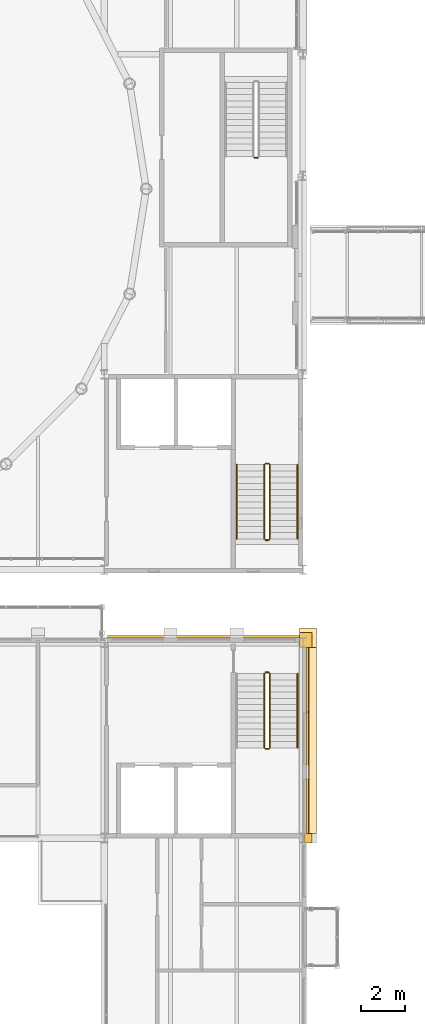
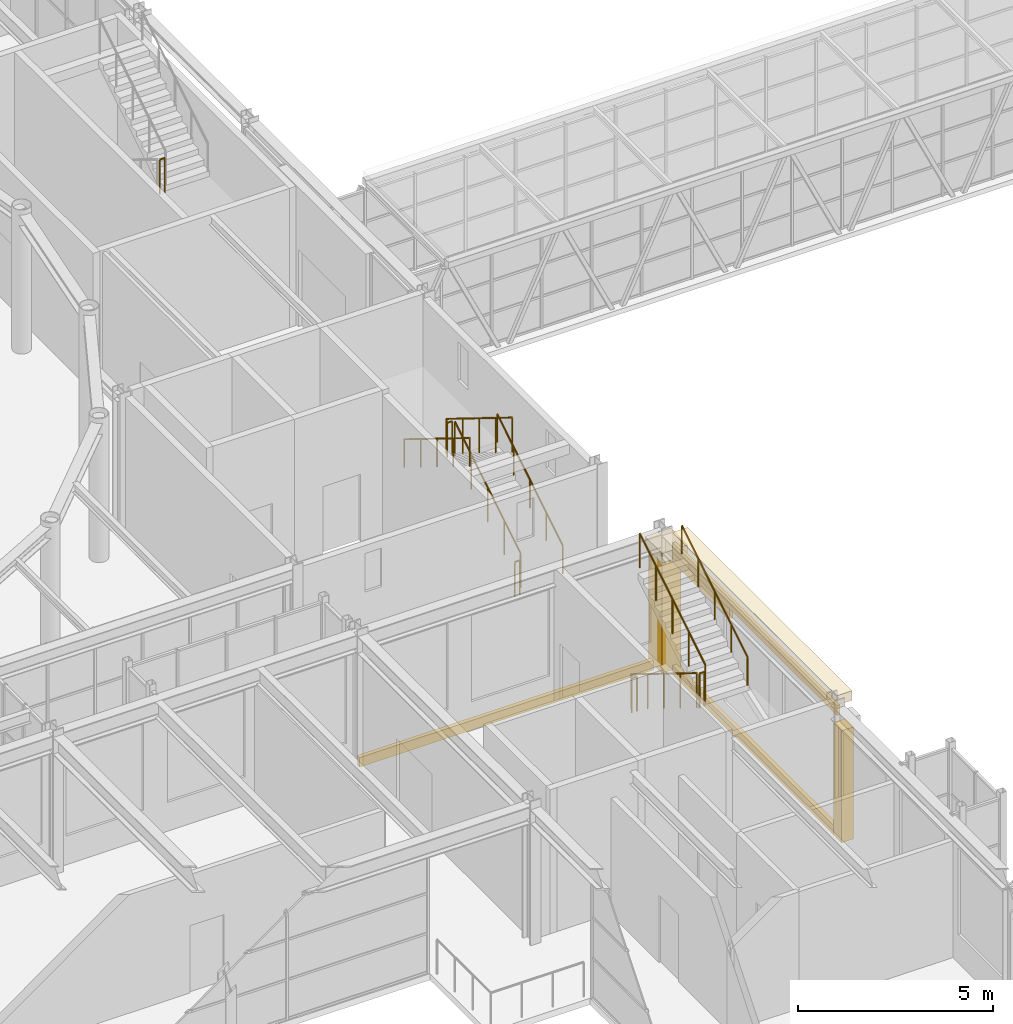
# One storey, part 142 of 149: 12 railings, 8 coverings.
"""IFC4 building model written with IfcOpenShell, lengths in metres."""

from ifc_helpers import new_model, si_unit, direction, frame, origin, origin_2d, place, context, subcontext, project, spatial, rectangle, circle, extrude, material, layer, layer_set, type_object, element, save


model = new_model("IFC4")

# Units and contexts
model_context = context("Model", 3, precision=1e-05, world=origin(), true_north=direction((0.0, 1.0)))
body_context = subcontext(model_context, "Body", "Model", "MODEL_VIEW")
ifc_project = project(units=[si_unit("LENGTHUNIT", "METRE"), si_unit("AREAUNIT", "SQUARE_METRE"), si_unit("VOLUMEUNIT", "CUBIC_METRE"), si_unit("PLANEANGLEUNIT", "RADIAN"), si_unit("MASSUNIT", "GRAM", prefix="KILO")], contexts=[model_context])

# Site, building, storey
site_placement = place(None, origin())
site = spatial("IfcSite", under=ifc_project, at=site_placement, CompositionType="ELEMENT")
building_placement = place(site_placement, origin())
building = spatial("IfcBuilding", under=site, at=building_placement, Name="Kallimachos Central Library", CompositionType="ELEMENT")
storey_placement = place(building_placement, frame((0.0, 0.0, 9.89990234375)))
storey = spatial("IfcBuildingStorey", under=building, at=storey_placement, Name="L02", CompositionType="ELEMENT", Elevation=9.89990234375)

# Coverings
ifc_material_1 = material(Name="Glazed ceramic frieze, green")
ifc_layer_1 = layer(ifc_material_1, 0.10009765625)
ifc_layer_set_1 = layer_set([ifc_layer_1], Name="Glazed ceramic frieze, green")
covering_type_1 = type_object("IfcCoveringType", Name="Glazed ceramic frieze, green", PredefinedType="CLADDING", material=ifc_layer_set_1)
covering_1_placement = place(storey_placement, frame((110.70361328125, 79.425048828125, 3.68017578125), z_axis=(0.0, 0.0, 1.0), x_axis=(1.0, 0.0, 0.0)))
element("IfcCovering", 1, at=covering_1_placement, inside=storey, type_object=covering_type_1, Name="Glazed ceramic frieze, green -L02-025", PredefinedType="CLADDING", context=body_context, shape_type="SweptSolid", body=[
    extrude(rectangle(XDim=0.10009765625, YDim=8.41796875, at=origin_2d()), origin(), (0.0, 0.0, 1.0), 0.300048828125),
])
ifc_material_2 = material(Name="Glazed ceramic frieze, ochre")
ifc_layer_2 = layer(ifc_material_2, 0.10009765625)
ifc_layer_set_2 = layer_set([ifc_layer_2], Name="Glazed ceramic frieze, ochre")
covering_type_2 = type_object("IfcCoveringType", Name="Glazed ceramic frieze, ochre", PredefinedType="CLADDING", material=ifc_layer_set_2)
covering_2_placement = place(storey_placement, frame((110.70361328125, 82.1669921875, 3.3798828125), z_axis=(0.0, 0.0, 1.0), x_axis=(1.0, 0.0, 0.0)))
element("IfcCovering", 2, at=covering_2_placement, inside=storey, type_object=covering_type_2, Name="Glazed ceramic frieze, ochre -L02-025", PredefinedType="CLADDING", context=body_context, shape_type="SweptSolid", body=[
    extrude(rectangle(XDim=0.10009765625, YDim=2.93408203125, at=origin_2d()), origin(), (0.0, 0.0, 1.0), 0.300048828125),
])

# Railings
ifc_material_3 = material(Name="Wrought iron")
railing_type_1 = type_object("IfcRailingType", Name="Stair guard", PredefinedType="GUARDRAIL", material=ifc_material_3)
railing_1_placement = place(storey_placement, frame((108.75, 82.449951171875, 0.173095703125)))
element("IfcRailing", 3, at=railing_1_placement, inside=storey, type_object=railing_type_1, Name="L02 ST10 stair guard 1", PredefinedType="GUARDRAIL", context=body_context, shape_type="SweptSolid", body=[
    extrude(circle(Radius=0.02392578125, at=origin_2d()), frame((0.0, 0.0, 1.076171875), z_axis=(0.0, -0.850606129759, 0.525803396734), x_axis=(1.0, 0.0, 0.0)), (0.0, 0.0, 1.0), 3.949951171875),
    extrude(circle(Radius=0.02099609375, at=origin_2d()), origin(), (0.0, 0.0, 1.0), 1.052001953125),
    extrude(circle(Radius=0.02099609375, at=origin_2d()), frame((0.0, -0.83984375, 0.519287109375)), (0.0, 0.0, 1.0), 1.052001953125),
    extrude(circle(Radius=0.02099609375, at=origin_2d()), frame((0.0, -1.679931640625, 1.03857421875)), (0.0, 0.0, 1.0), 1.052001953125),
    extrude(circle(Radius=0.02099609375, at=origin_2d()), frame((0.0, -2.52001953125, 1.5576171875)), (0.0, 0.0, 1.0), 1.052001953125),
    extrude(circle(Radius=0.02099609375, at=origin_2d()), frame((0.0, -3.35986328125, 2.076904296875)), (0.0, 0.0, 1.0), 1.052001953125),
])
railing_2_placement = place(storey_placement, frame((108.800048828125, 79.0400390625, 2.25)))
element("IfcRailing", 4, at=railing_2_placement, inside=storey, type_object=railing_type_1, Name="L02 ST10 stair guard 2", PredefinedType="GUARDRAIL", context=body_context, shape_type="SweptSolid", body=[
    extrude(circle(Radius=0.02392578125, at=origin_2d()), frame((0.0, 0.0, 1.076171875), z_axis=(1.0, 0.0, 0.0), x_axis=(0.0, 1.0, 0.0)), (0.0, 0.0, 1.0), 0.14990234375),
    extrude(circle(Radius=0.02099609375, at=origin_2d()), origin(), (0.0, 0.0, 1.0), 1.052001953125),
    extrude(circle(Radius=0.02099609375, at=origin_2d()), frame((0.14990234375, 0.0, 0.0)), (0.0, 0.0, 1.0), 1.052001953125),
])
railing_3_placement = place(storey_placement, frame((109.0, 79.090087890625, 2.423095703125)))
element("IfcRailing", 5, at=railing_3_placement, inside=storey, type_object=railing_type_1, Name="L02 ST10 stair guard 3", PredefinedType="GUARDRAIL", context=body_context, shape_type="SweptSolid", body=[
    extrude(circle(Radius=0.02392578125, at=origin_2d()), frame((0.0, 0.0, 1.076171875), z_axis=(0.0, 0.850606129759, 0.525803396734), x_axis=(-1.0, 0.0, 0.0)), (0.0, 0.0, 1.0), 3.949951171875),
    extrude(circle(Radius=0.02099609375, at=origin_2d()), origin(), (0.0, 0.0, 1.0), 1.052001953125),
    extrude(circle(Radius=0.02099609375, at=origin_2d()), frame((0.0, 0.83984375, 0.519287109375)), (0.0, 0.0, 1.0), 1.052001953125),
    extrude(circle(Radius=0.02099609375, at=origin_2d()), frame((0.0, 1.679931640625, 1.03857421875)), (0.0, 0.0, 1.0), 1.052001953125),
    extrude(circle(Radius=0.02099609375, at=origin_2d()), frame((0.0, 2.52001953125, 1.5576171875)), (0.0, 0.0, 1.0), 1.052001953125),
    extrude(circle(Radius=0.02099609375, at=origin_2d()), frame((0.0, 3.35986328125, 2.076904296875)), (0.0, 0.0, 1.0), 1.052001953125),
])
railing_4_placement = place(storey_placement, frame((108.800048828125, 82.5, 0.0)))
element("IfcRailing", 6, at=railing_4_placement, inside=storey, type_object=railing_type_1, Name="L02 ST10 stair guard 4", PredefinedType="GUARDRAIL", context=body_context, shape_type="SweptSolid", body=[
    extrude(circle(Radius=0.02392578125, at=origin_2d()), frame((0.0, 0.0, 1.076171875), z_axis=(1.0, 0.0, 0.0), x_axis=(0.0, 1.0, 0.0)), (0.0, 0.0, 1.0), 0.14990234375),
    extrude(circle(Radius=0.02099609375, at=origin_2d()), origin(), (0.0, 0.0, 1.0), 1.052001953125),
    extrude(circle(Radius=0.02099609375, at=origin_2d()), frame((0.14990234375, 0.0, 0.0)), (0.0, 0.0, 1.0), 1.052001953125),
])
ifc_material_4 = material(Name="Wrought iron")
railing_type_2 = type_object("IfcRailingType", Name="Stair handrail", PredefinedType="HANDRAIL", material=ifc_material_4)
railing_5_placement = place(storey_placement, frame((110.25, 79.090087890625, 2.423095703125)))
element("IfcRailing", 7, at=railing_5_placement, inside=storey, type_object=railing_type_2, Name="L02 ST10 stair handrail 2", PredefinedType="HANDRAIL", context=body_context, shape_type="SweptSolid", body=[
    extrude(circle(Radius=0.02392578125, at=origin_2d()), frame((0.0, 0.0, 0.8759765625), z_axis=(0.0, 0.850606129759, 0.525803396734), x_axis=(-1.0, 0.0, 0.0)), (0.0, 0.0, 1.0), 3.949951171875),
    extrude(circle(Radius=0.02099609375, at=origin_2d()), origin(), (0.0, 0.0, 1.0), 0.851806640625),
    extrude(circle(Radius=0.02099609375, at=origin_2d()), frame((0.0, 0.83984375, 0.519287109375)), (0.0, 0.0, 1.0), 0.851806640625),
    extrude(circle(Radius=0.02099609375, at=origin_2d()), frame((0.0, 1.679931640625, 1.03857421875)), (0.0, 0.0, 1.0), 0.851806640625),
    extrude(circle(Radius=0.02099609375, at=origin_2d()), frame((0.0, 2.52001953125, 1.5576171875)), (0.0, 0.0, 1.0), 0.851806640625),
    extrude(circle(Radius=0.02099609375, at=origin_2d()), frame((0.0, 3.35986328125, 2.076904296875)), (0.0, 0.0, 1.0), 0.851806640625),
])

# Coverings
ifc_material_5 = material(Name="Pentelic marble attic moulding", Category="masonry")
ifc_layer_3 = layer(ifc_material_5, 0.1201171875)
ifc_layer_set_3 = layer_set([ifc_layer_3], Name="Stone attic moulding 300")
covering_type_3 = type_object("IfcCoveringType", Name="Stone attic moulding 300", PredefinedType="MOLDING", material=ifc_layer_set_3)
covering_3_placement = place(storey_placement, frame((106.0, 84.1259765625, -0.14990234375), z_axis=(0.0, 0.0, 1.0), x_axis=(1.0, 0.0, 0.0)))
element("IfcCovering", 8, at=covering_3_placement, inside=storey, type_object=covering_type_3, Name="Stone attic moulding 300 -L02-019", PredefinedType="MOLDING", context=body_context, shape_type="SweptSolid", body=[
    extrude(rectangle(XDim=8.693115234375, YDim=0.1201171875, at=origin_2d()), origin(), (0.0, 0.0, 1.0), 0.300048828125),
])
covering_4_placement = place(storey_placement, frame((110.71337890625, 79.425048828125, -0.14990234375), z_axis=(0.0, 0.0, 1.0), x_axis=(1.0, 0.0, 0.0)))
element("IfcCovering", 9, at=covering_4_placement, inside=storey, type_object=covering_type_3, Name="Stone attic moulding 300 -L02-025", PredefinedType="MOLDING", context=body_context, shape_type="SweptSolid", body=[
    extrude(rectangle(XDim=0.1201171875, YDim=8.41796875, at=origin_2d()), origin(), (0.0, 0.0, 1.0), 0.300048828125),
])
ifc_material_6 = material(Name="Pentelic marble cornice", Category="masonry")
ifc_layer_4 = layer(ifc_material_6, 0.449951171875)
ifc_layer_set_4 = layer_set([ifc_layer_4], Name="Stone cornice 450")
covering_type_4 = type_object("IfcCoveringType", Name="Stone cornice 450", PredefinedType="MOLDING", material=ifc_layer_set_4)
covering_5_placement = place(storey_placement, frame((110.87841796875, 79.425048828125, 4.0), z_axis=(0.0, 0.0, 1.0), x_axis=(1.0, 0.0, 0.0)))
element("IfcCovering", 10, at=covering_5_placement, inside=storey, type_object=covering_type_4, Name="Stone cornice 450 -L02-025", PredefinedType="MOLDING", context=body_context, shape_type="SweptSolid", body=[
    extrude(rectangle(XDim=0.449951171875, YDim=8.41796875, at=origin_2d()), origin(), (0.0, 0.0, 1.0), 0.300048828125),
])
covering_6_placement = place(storey_placement, frame((110.72509765625, 84.074951171875, 3.4501953125), z_axis=(0.0, 0.0, 1.0), x_axis=(1.0, 0.0, 0.0)))
element("IfcCovering", 11, at=covering_6_placement, inside=storey, type_object=covering_type_4, Name="Stone cornice 450 corner", PredefinedType="MOLDING", context=body_context, shape_type="SweptSolid", body=[
    extrude(rectangle(XDim=0.757080078125, YDim=0.882080078125, at=origin_2d()), origin(), (0.0, 0.0, 1.0), 0.300048828125),
])
ifc_material_7 = material(Name="Pentelic marble pilaster", Category="masonry")
ifc_layer_5 = layer(ifc_material_7, 0.25)
ifc_layer_set_5 = layer_set([ifc_layer_5], Name="Stone pilaster 250")
covering_type_5 = type_object("IfcCoveringType", Name="Stone pilaster 250", PredefinedType="CLADDING", material=ifc_layer_set_5)
covering_7_placement = place(storey_placement, frame((110.72509765625, 75.0, 0.0), z_axis=(0.0, 0.0, 1.0), x_axis=(1.0, 0.0, 0.0)))
element("IfcCovering", 12, at=covering_7_placement, inside=storey, type_object=covering_type_5, Name="Stone pilaster 250 -L02-024", PredefinedType="CLADDING", context=body_context, shape_type="SweptSolid", body=[
    extrude(rectangle(XDim=0.35009765625, YDim=0.431884765625, at=origin_2d()), origin(), (0.0, 0.0, 1.0), 3.5),
])
covering_8_placement = place(storey_placement, frame((110.625, 83.97509765625, 0.0), z_axis=(0.0, 0.0, 1.0), x_axis=(1.0, 0.0, 0.0)))
element("IfcCovering", 13, at=covering_8_placement, inside=storey, type_object=covering_type_5, Name="Stone pilaster 250 corner", PredefinedType="CLADDING", context=body_context, shape_type="SweptSolid", body=[
    extrude(rectangle(XDim=0.556884765625, YDim=0.681884765625, at=origin_2d()), origin(), (0.0, 0.0, 1.0), 3.449951171875),
])

# Railings
ifc_material_8 = material(Name="Wrought iron")
railing_type_3 = type_object("IfcRailingType", Name="Wrought-iron handrail 900", PredefinedType="HANDRAIL", material=ifc_material_8)
railing_6_placement = place(storey_placement, frame((110.25, 88.550048828125, 0.173095703125)))
element("IfcRailing", 14, at=railing_6_placement, inside=storey, type_object=railing_type_3, Name="L02 ST2 stair handrail 1", PredefinedType="HANDRAIL", context=body_context, shape_type="SweptSolid", body=[
    extrude(circle(Radius=0.02392578125, at=origin_2d()), frame((0.0, 0.0, 0.8759765625), z_axis=(0.0, 0.850606129759, 0.525803396734), x_axis=(-1.0, 0.0, 0.0)), (0.0, 0.0, 1.0), 3.949951171875),
    extrude(circle(Radius=0.02099609375, at=origin_2d()), origin(), (0.0, 0.0, 1.0), 0.851806640625),
    extrude(circle(Radius=0.02099609375, at=origin_2d()), frame((0.0, 0.83984375, 0.519287109375)), (0.0, 0.0, 1.0), 0.851806640625),
    extrude(circle(Radius=0.02099609375, at=origin_2d()), frame((0.0, 1.679931640625, 1.03857421875)), (0.0, 0.0, 1.0), 0.851806640625),
    extrude(circle(Radius=0.02099609375, at=origin_2d()), frame((0.0, 2.52001953125, 1.5576171875)), (0.0, 0.0, 1.0), 0.851806640625),
    extrude(circle(Radius=0.02099609375, at=origin_2d()), frame((0.0, 3.35986328125, 2.076904296875)), (0.0, 0.0, 1.0), 0.851806640625),
])
railing_7_placement = place(storey_placement, frame((107.5, 91.909912109375, 2.423095703125)))
element("IfcRailing", 15, at=railing_7_placement, inside=storey, type_object=railing_type_3, Name="L02 ST2 stair handrail 2", PredefinedType="HANDRAIL", context=body_context, shape_type="SweptSolid", body=[
    extrude(circle(Radius=0.02392578125, at=origin_2d()), frame((0.0, 0.0, 0.8759765625), z_axis=(0.0, -0.850606129759, 0.525803396734), x_axis=(1.0, 0.0, 0.0)), (0.0, 0.0, 1.0), 3.949951171875),
    extrude(circle(Radius=0.02099609375, at=origin_2d()), origin(), (0.0, 0.0, 1.0), 0.851806640625),
    extrude(circle(Radius=0.02099609375, at=origin_2d()), frame((0.0, -0.83984375, 0.519287109375)), (0.0, 0.0, 1.0), 0.851806640625),
    extrude(circle(Radius=0.02099609375, at=origin_2d()), frame((0.0, -1.679931640625, 1.03857421875)), (0.0, 0.0, 1.0), 0.851806640625),
    extrude(circle(Radius=0.02099609375, at=origin_2d()), frame((0.0, -2.52001953125, 1.5576171875)), (0.0, 0.0, 1.0), 0.851806640625),
    extrude(circle(Radius=0.02099609375, at=origin_2d()), frame((0.0, -3.35986328125, 2.076904296875)), (0.0, 0.0, 1.0), 0.851806640625),
])
ifc_material_9 = material(Name="Wrought iron")
railing_type_4 = type_object("IfcRailingType", Name="Wrought-iron stair guard 1100", PredefinedType="GUARDRAIL", material=ifc_material_9)
railing_8_placement = place(storey_placement, frame((109.0, 88.550048828125, 0.173095703125)))
element("IfcRailing", 16, at=railing_8_placement, inside=storey, type_object=railing_type_4, Name="L02 ST2 stair guard 1", PredefinedType="GUARDRAIL", context=body_context, shape_type="SweptSolid", body=[
    extrude(circle(Radius=0.02392578125, at=origin_2d()), frame((0.0, 0.0, 1.076171875), z_axis=(0.0, 0.850606129759, 0.525803396734), x_axis=(-1.0, 0.0, 0.0)), (0.0, 0.0, 1.0), 3.949951171875),
    extrude(circle(Radius=0.02099609375, at=origin_2d()), origin(), (0.0, 0.0, 1.0), 1.052001953125),
    extrude(circle(Radius=0.02099609375, at=origin_2d()), frame((0.0, 0.83984375, 0.519287109375)), (0.0, 0.0, 1.0), 1.052001953125),
    extrude(circle(Radius=0.02099609375, at=origin_2d()), frame((0.0, 1.679931640625, 1.03857421875)), (0.0, 0.0, 1.0), 1.052001953125),
    extrude(circle(Radius=0.02099609375, at=origin_2d()), frame((0.0, 2.52001953125, 1.5576171875)), (0.0, 0.0, 1.0), 1.052001953125),
    extrude(circle(Radius=0.02099609375, at=origin_2d()), frame((0.0, 3.35986328125, 2.076904296875)), (0.0, 0.0, 1.0), 1.052001953125),
])
railing_9_placement = place(storey_placement, frame((108.949951171875, 91.9599609375, 2.25)))
element("IfcRailing", 17, at=railing_9_placement, inside=storey, type_object=railing_type_4, Name="L02 ST2 stair guard 2", PredefinedType="GUARDRAIL", context=body_context, shape_type="SweptSolid", body=[
    extrude(circle(Radius=0.02392578125, at=origin_2d()), frame((0.0, 0.0, 1.076171875), z_axis=(-1.0, 0.0, 0.0), x_axis=(0.0, -1.0, 0.0)), (0.0, 0.0, 1.0), 0.14990234375),
    extrude(circle(Radius=0.02099609375, at=origin_2d()), origin(), (0.0, 0.0, 1.0), 1.052001953125),
    extrude(circle(Radius=0.02099609375, at=origin_2d()), frame((-0.14990234375, 0.0, 0.0)), (0.0, 0.0, 1.0), 1.052001953125),
])
railing_10_placement = place(storey_placement, frame((108.75, 91.909912109375, 2.423095703125)))
element("IfcRailing", 18, at=railing_10_placement, inside=storey, type_object=railing_type_4, Name="L02 ST2 stair guard 3", PredefinedType="GUARDRAIL", context=body_context, shape_type="SweptSolid", body=[
    extrude(circle(Radius=0.02392578125, at=origin_2d()), frame((0.0, 0.0, 1.076171875), z_axis=(0.0, -0.850606129759, 0.525803396734), x_axis=(1.0, 0.0, 0.0)), (0.0, 0.0, 1.0), 3.949951171875),
    extrude(circle(Radius=0.02099609375, at=origin_2d()), origin(), (0.0, 0.0, 1.0), 1.052001953125),
    extrude(circle(Radius=0.02099609375, at=origin_2d()), frame((0.0, -0.83984375, 0.519287109375)), (0.0, 0.0, 1.0), 1.052001953125),
    extrude(circle(Radius=0.02099609375, at=origin_2d()), frame((0.0, -1.679931640625, 1.03857421875)), (0.0, 0.0, 1.0), 1.052001953125),
    extrude(circle(Radius=0.02099609375, at=origin_2d()), frame((0.0, -2.52001953125, 1.5576171875)), (0.0, 0.0, 1.0), 1.052001953125),
    extrude(circle(Radius=0.02099609375, at=origin_2d()), frame((0.0, -3.35986328125, 2.076904296875)), (0.0, 0.0, 1.0), 1.052001953125),
])
railing_11_placement = place(storey_placement, frame((108.949951171875, 88.5, 0.0)))
element("IfcRailing", 19, at=railing_11_placement, inside=storey, type_object=railing_type_4, Name="L02 ST2 stair guard 4", PredefinedType="GUARDRAIL", context=body_context, shape_type="SweptSolid", body=[
    extrude(circle(Radius=0.02392578125, at=origin_2d()), frame((0.0, 0.0, 1.076171875), z_axis=(-1.0, 0.0, 0.0), x_axis=(0.0, -1.0, 0.0)), (0.0, 0.0, 1.0), 0.14990234375),
    extrude(circle(Radius=0.02099609375, at=origin_2d()), origin(), (0.0, 0.0, 1.0), 1.052001953125),
    extrude(circle(Radius=0.02099609375, at=origin_2d()), frame((-0.14990234375, 0.0, 0.0)), (0.0, 0.0, 1.0), 1.052001953125),
])
railing_12_placement = place(storey_placement, frame((108.300048828125, 105.81494140625, 2.25)))
element("IfcRailing", 20, at=railing_12_placement, inside=storey, type_object=railing_type_4, Name="L02 ST4 stair guard 2", PredefinedType="GUARDRAIL", context=body_context, shape_type="SweptSolid", body=[
    extrude(circle(Radius=0.02392578125, at=origin_2d()), frame((0.0, 0.0, 1.076171875), z_axis=(1.0, 0.0, 0.0), x_axis=(0.0, 1.0, 0.0)), (0.0, 0.0, 1.0), 0.14990234375),
    extrude(circle(Radius=0.02099609375, at=origin_2d()), origin(), (0.0, 0.0, 1.0), 1.052001953125),
    extrude(circle(Radius=0.02099609375, at=origin_2d()), frame((0.14990234375, 0.0, 0.0)), (0.0, 0.0, 1.0), 1.052001953125),
])

save(model, "model.ifc")
